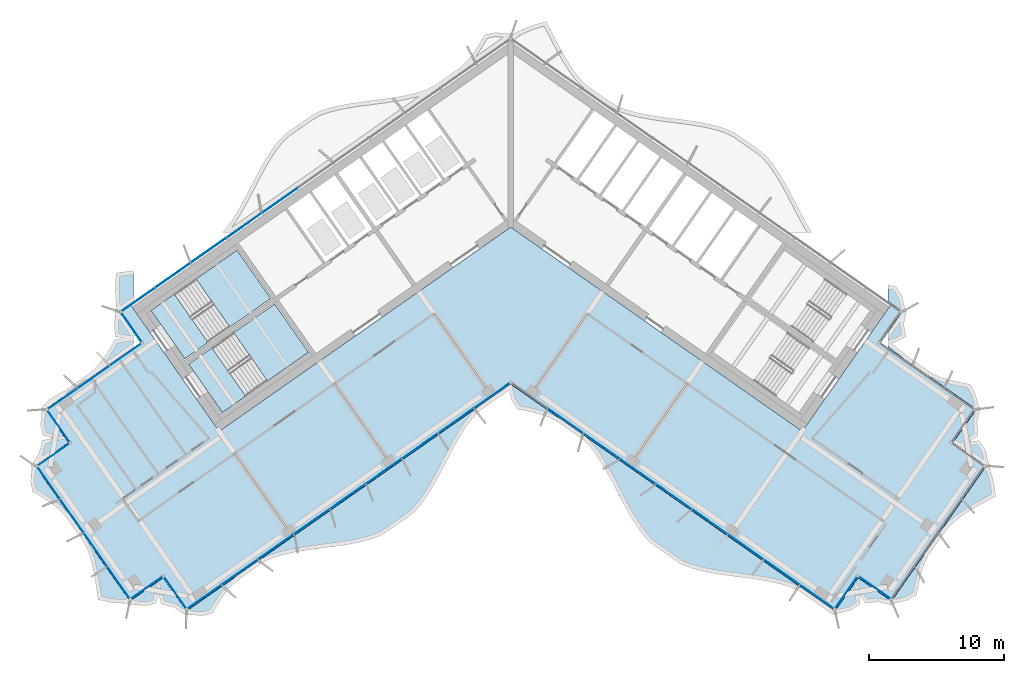
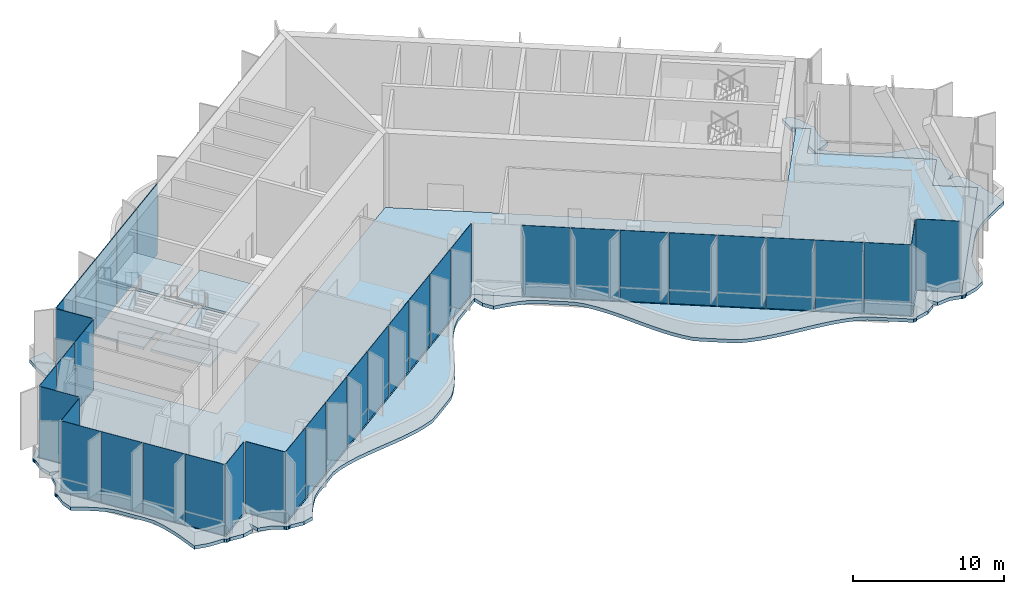
# One storey, part 10 of 22: 36 plates, 8 slabs, 4 elements without a shape of their own.
"""IFC4 building model written with IfcOpenShell, lengths in metres."""

import ifcopenshell
import ifcopenshell.guid

model = None  # the IFC model being written
_history = None  # IfcOwnerHistory: only IFC2X3 demands one
_inside = {}  # id of a spatial element -> (the spatial element, [elements in it])
_under = {}  # id of a project, library or spatial element -> (it, [spatial elements below it])
_declared = {}  # id of a project -> (the project, [libraries it declares])
_typed = {}  # id of a type object -> (the type object, [elements of that type])
_made_of = {}  # id of a material, layer set ... -> (it, [elements and type objects made of it])


def new_model(schema):
    """Start an empty IFC model of exactly this schema.

    Asked for "IFC4X3", IfcOpenShell would pick the latest addendum, in which some entities
    have other attributes; the version numbers below select the first issue.
    IFC2X3 requires an IfcOwnerHistory on every rooted entity: one is made here for all.
    """
    global model, _history
    if schema == "IFC4X3":
        model = ifcopenshell.file(schema_version=(4, 3, 0, 0))
    else:
        model = ifcopenshell.file(schema=schema)
    _inside.clear()
    _under.clear()
    _declared.clear()
    _typed.clear()
    _made_of.clear()
    _history = None
    if model.schema == "IFC2X3":
        org = make("IfcOrganization", Name="unknown")
        user = make(
            "IfcPersonAndOrganization",
            ThePerson=make("IfcPerson", FamilyName="unknown"),
            TheOrganization=org,
        )
        app = make(
            "IfcApplication",
            ApplicationDeveloper=org,
            Version="unknown",
            ApplicationFullName="unknown",
            ApplicationIdentifier="unknown",
        )
        _history = make(
            "IfcOwnerHistory",
            OwningUser=user,
            OwningApplication=app,
            ChangeAction="ADDED",
            CreationDate=0,
        )
    return model


def make(cls, **values):
    """One entity of the class cls with the attributes given. An attribute that is None is left unset."""
    return model.create_entity(
        cls, **{name: value for name, value in values.items() if value is not None}
    )


def rooted(cls, **values):
    """An entity with a GlobalId (a new one), such as an element, a storey or a relation."""
    return make(cls, GlobalId=ifcopenshell.guid.new(), OwnerHistory=_history, **values)


def si_unit(unit_type, name, prefix=None):
    """IfcSIUnit, for example si_unit("LENGTHUNIT", "METRE", prefix="MILLI")."""
    return make("IfcSIUnit", UnitType=unit_type, Prefix=prefix, Name=name)


def assignment(units):
    """IfcUnitAssignment: the units of a project."""
    return None if units is None else make("IfcUnitAssignment", Units=units)


def point(xyz):
    """IfcCartesianPoint."""
    return None if xyz is None else make("IfcCartesianPoint", Coordinates=xyz)


def direction(xyz):
    """IfcDirection."""
    return None if xyz is None else make("IfcDirection", DirectionRatios=xyz)


def frame(location, z_axis=None, x_axis=None):
    """IfcAxis2Placement3D, a coordinate frame: its origin and axes. An axis left out is left unset."""
    return make(
        "IfcAxis2Placement3D",
        Location=point(location),
        Axis=direction(z_axis),
        RefDirection=direction(x_axis),
    )


def frame_2d(location, x_axis=None):
    """IfcAxis2Placement2D, a coordinate frame in the plane: its origin and x axis."""
    return make(
        "IfcAxis2Placement2D", Location=point(location), RefDirection=direction(x_axis)
    )


def origin():
    """The frame at (0, 0, 0) with its axes left unset."""
    return frame((0.0, 0.0, 0.0))


def origin_2d():
    """The frame at (0, 0) in the plane with its x axis left unset."""
    return frame_2d((0.0, 0.0))


def place(relative_to, where):
    """IfcLocalPlacement: puts the frame where relative to a parent placement (None: the world)."""
    return make(
        "IfcLocalPlacement", PlacementRelTo=relative_to, RelativePlacement=where
    )


def context(
    kind, dimensions, precision=None, world=None, true_north=None, identifier=None
):
    """IfcGeometricRepresentationContext, for example the 3D "Model" context."""
    return make(
        "IfcGeometricRepresentationContext",
        ContextIdentifier=identifier,
        ContextType=kind,
        CoordinateSpaceDimension=dimensions,
        Precision=precision,
        WorldCoordinateSystem=world,
        TrueNorth=true_north,
    )


def subcontext(parent, identifier, kind, view, scale=None):
    """IfcGeometricRepresentationSubContext, for example "Body" below "Model"."""
    return make(
        "IfcGeometricRepresentationSubContext",
        ContextIdentifier=identifier,
        ContextType=kind,
        ParentContext=parent,
        TargetScale=scale,
        TargetView=view,
    )


def project(units=None, contexts=None):
    """IfcProject with its units and contexts."""
    return rooted(
        "IfcProject",
        Name="project",
        RepresentationContexts=contexts,
        UnitsInContext=assignment(units),
    )


def spatial(cls, under=None, at=None, **own):
    """A site, building, storey or space (cls), placed at a placement, below another one or the project."""
    s = rooted(cls, ObjectPlacement=at, **own)
    if under is not None:
        _under.setdefault(under.id(), (under, []))[1].append(s)
    return s


def polyline(points):
    """IfcPolyline through the points."""
    return make("IfcPolyline", Points=[point(p) for p in points])


def profile(cls, at=None, kind="AREA", **sizes):
    """A parametric profile (cls). Its sizes go by their IFC names, for example OverallWidth=200.0."""
    return make(cls, ProfileType=kind, Position=at, **sizes)


def rectangle(**sizes):
    """IfcRectangleProfileDef."""
    return profile("IfcRectangleProfileDef", **sizes)


def outline(outer, holes=None, kind="AREA"):
    """IfcArbitraryClosedProfileDef: a profile drawn as a closed curve; with holes, ...WithVoids."""
    if holes is None:
        return make("IfcArbitraryClosedProfileDef", ProfileType=kind, OuterCurve=outer)
    return make(
        "IfcArbitraryProfileDefWithVoids",
        ProfileType=kind,
        OuterCurve=outer,
        InnerCurves=holes,
    )


def extrude(swept, where, along, depth):
    """IfcExtrudedAreaSolid: the profile swept, set in the frame where, extruded along a direction by depth."""
    return make(
        "IfcExtrudedAreaSolid",
        SweptArea=swept,
        Position=where,
        ExtrudedDirection=direction(along),
        Depth=depth,
    )


def shape(context_of_items, identifier, shape_type, items):
    """IfcShapeRepresentation: the items that make up one representation, for example the "Body"."""
    return make(
        "IfcShapeRepresentation",
        ContextOfItems=context_of_items,
        RepresentationIdentifier=identifier,
        RepresentationType=shape_type,
        Items=items,
    )


def material(Name=None, Category=None):
    """IfcMaterial."""
    return make("IfcMaterial", Name=Name, Category=Category)


def layer(
    of_material, thickness, ventilated=None, Name=None, Category=None, Priority=None
):
    """IfcMaterialLayer: one layer of a wall or slab, of a material (None: an air gap)."""
    return make(
        "IfcMaterialLayer",
        Material=of_material,
        LayerThickness=thickness,
        IsVentilated=ventilated,
        Name=Name,
        Category=Category,
        Priority=Priority,
    )


def layer_set(layers, Name=None):
    """IfcMaterialLayerSet."""
    return make("IfcMaterialLayerSet", MaterialLayers=layers, LayerSetName=Name)


def made_of(thing, what):
    """Note that an element or type object is made of a material, layer set ...; save() writes the relation."""
    if what is not None:
        _made_of.setdefault(what.id(), (what, []))[1].append(thing)
    return thing


def type_object(cls, material=None, **own):
    """A type object (cls), such as IfcWallType, which elements share."""
    return made_of(rooted(cls, **own), material)


def element(
    cls,
    number,
    at=None,
    inside=None,
    cuts=None,
    type_object=None,
    material=None,
    context=None,
    identifier="Body",
    shape_type=None,
    held_by="IfcProductDefinitionShape",
    body=None,
    shapes=None,
    **own,
):
    """One element of the class cls, such as IfcWall. Its Tag is "e" and its number.

    at: its placement. inside: the storey or other place that contains it. cuts: it is an
    opening in that element (IfcRelVoidsElement). A single representation is given by context,
    identifier, shape_type and body (its items); several are given by shapes. held_by: the class
    of the entity that holds the representations. save() writes the other relations.
    """
    e = rooted(cls, Tag="e%d" % number, ObjectPlacement=at, **own)
    if body is not None:
        shapes = [shape(context, identifier, shape_type, body)]
    if shapes is not None:
        e.Representation = make(held_by, Representations=shapes)
    if inside is not None:
        _inside.setdefault(inside.id(), (inside, []))[1].append(e)
    if cuts is not None:
        rooted(
            "IfcRelVoidsElement", RelatingBuildingElement=cuts, RelatedOpeningElement=e
        )
    if type_object is not None:
        _typed.setdefault(type_object.id(), (type_object, []))[1].append(e)
    return made_of(e, material)


def aggregate(whole, parts):
    """IfcRelAggregates: a whole, such as a stair, and the parts it consists of."""
    return rooted("IfcRelAggregates", RelatingObject=whole, RelatedObjects=parts)


def save(model, path):
    """Write the relations noted so far, then the file.

    IfcRelAggregates (storeys below a building ...), IfcRelContainedInSpatialStructure (elements
    in a storey), IfcRelDefinesByType, IfcRelAssociatesMaterial and IfcRelDeclares: one each for
    every whole, place, type object, material and project.
    """
    for whole, parts in _under.values():
        aggregate(whole, parts)
    for where, things in _inside.values():
        rooted(
            "IfcRelContainedInSpatialStructure",
            RelatedElements=things,
            RelatingStructure=where,
        )
    for kind, things in _typed.values():
        rooted("IfcRelDefinesByType", RelatedObjects=things, RelatingType=kind)
    for what, things in _made_of.values():
        rooted("IfcRelAssociatesMaterial", RelatedObjects=things, RelatingMaterial=what)
    for by, libraries in _declared.values():
        rooted("IfcRelDeclares", RelatingContext=by, RelatedDefinitions=libraries)
    model.write(path)


model = new_model("IFC4")

# Units and contexts
model_context = context("Model", 3, precision=1e-05, world=origin(), true_north=direction((0.0, 1.0)))
body_context = subcontext(model_context, "Body", "Model", "MODEL_VIEW")
ifc_project = project(units=[si_unit("LENGTHUNIT", "METRE"), si_unit("AREAUNIT", "SQUARE_METRE"), si_unit("VOLUMEUNIT", "CUBIC_METRE"), si_unit("PLANEANGLEUNIT", "RADIAN"), si_unit("MASSUNIT", "GRAM", prefix="KILO")], contexts=[model_context])

# Site, building, storey
site_placement = place(None, origin())
site = spatial("IfcSite", under=ifc_project, at=site_placement, CompositionType="ELEMENT")
building_placement = place(site_placement, origin())
building = spatial("IfcBuilding", under=site, at=building_placement, Name="Tel Ilan Convention Tower", CompositionType="ELEMENT")
storey_placement = place(building_placement, frame((0.0, 0.0, 219.39990234375)))
storey = spatial("IfcBuildingStorey", under=building, at=storey_placement, Name="L51", CompositionType="ELEMENT", Elevation=219.39990234375)

# Curtain wall, plates
ifc_material_1 = material(Name="Aluminium, bronze anodised", Category="aluminium")
curtain_wall_type_1 = type_object("IfcCurtainWallType", Name="CW2 STICK CURTAIN WALL, SPANDREL PANELS", PredefinedType="NOTDEFINED", material=ifc_material_1)
curtain_wall_1_placement = place(storey_placement, origin())
curtain_wall_1 = element("IfcCurtainWall", 1, at=curtain_wall_1_placement, inside=storey, type_object=curtain_wall_type_1, Name="Curtain wall CW2-40.01", PredefinedType="NOTDEFINED")
ifc_material_2 = material(Name="Aluminium composite panel, bronze anodised", Category="aluminium")
ifc_layer_1 = layer(ifc_material_2, 0.06005859375)
ifc_layer_set_1 = layer_set([ifc_layer_1], Name="CW SPANDREL PANEL 60")
plate_type_1 = type_object("IfcPlateType", Name="CW SPANDREL PANEL 60", PredefinedType="CURTAIN_PANEL", material=ifc_layer_set_1)
plate_1_placement = place(storey_placement, frame((-17.0546875, 0.754150390625, 0.0), z_axis=(0.0, 0.0, 1.0), x_axis=(-0.819152044289, -0.573576436351, 0.0)))
plate_1 = element("IfcPlate", 2, at=plate_1_placement, type_object=plate_type_1, Name="Spandrel panel", PredefinedType="CURTAIN_PANEL", context=body_context, shape_type="SweptSolid", body=[
    extrude(rectangle(XDim=3.15380859375, YDim=0.06005859375, at=origin_2d()), origin(), (0.0, 0.0, 1.0), 5.719970703125),
])
plate_2_placement = place(storey_placement, frame((-19.687255859375, -1.089111328125, 0.0), z_axis=(0.0, 0.0, 1.0), x_axis=(-0.819152044289, -0.573576436351, 0.0)))
plate_2 = element("IfcPlate", 3, at=plate_2_placement, type_object=plate_type_1, Name="Spandrel panel", PredefinedType="CURTAIN_PANEL", context=body_context, shape_type="SweptSolid", body=[
    extrude(rectangle(XDim=3.15380859375, YDim=0.06005859375, at=origin_2d()), origin(), (0.0, 0.0, 1.0), 5.719970703125),
])
plate_3_placement = place(storey_placement, frame((-22.31982421875, -2.9326171875, 0.0), z_axis=(0.0, 0.0, 1.0), x_axis=(-0.819152044289, -0.573576436351, 0.0)))
plate_3 = element("IfcPlate", 4, at=plate_3_placement, type_object=plate_type_1, Name="Spandrel panel", PredefinedType="CURTAIN_PANEL", context=body_context, shape_type="SweptSolid", body=[
    extrude(rectangle(XDim=3.15380859375, YDim=0.06005859375, at=origin_2d()), origin(), (0.0, 0.0, 1.0), 5.719970703125),
])
plate_4_placement = place(storey_placement, frame((-24.95263671875, -4.77587890625, 0.0), z_axis=(0.0, 0.0, 1.0), x_axis=(-0.819152044289, -0.573576436351, 0.0)))
plate_4 = element("IfcPlate", 5, at=plate_4_placement, type_object=plate_type_1, Name="Spandrel panel", PredefinedType="CURTAIN_PANEL", context=body_context, shape_type="SweptSolid", body=[
    extrude(rectangle(XDim=3.15380859375, YDim=0.06005859375, at=origin_2d()), origin(), (0.0, 0.0, 1.0), 5.719970703125),
])
plate_5_placement = place(storey_placement, frame((-27.5400390625, -6.587646484375, 0.0), z_axis=(0.0, 0.0, 1.0), x_axis=(-0.819152044289, -0.573576436351, 0.0)))
plate_5 = element("IfcPlate", 6, at=plate_5_placement, type_object=plate_type_1, Name="Spandrel panel", PredefinedType="CURTAIN_PANEL", context=body_context, shape_type="SweptSolid", body=[
    extrude(rectangle(XDim=3.0439453125, YDim=0.06005859375, at=origin_2d()), origin(), (0.0, 0.0, 1.0), 5.719970703125),
])
plate_6_placement = place(storey_placement, frame((-28.033935546875, -8.60546875, 0.0), z_axis=(0.0, 0.0, 1.0), x_axis=(0.573576436351, -0.819152044289, 0.0)))
plate_6 = element("IfcPlate", 7, at=plate_6_placement, type_object=plate_type_1, Name="Spandrel panel", PredefinedType="CURTAIN_PANEL", context=body_context, shape_type="SweptSolid", body=[
    extrude(rectangle(XDim=2.658935546875, YDim=0.06005859375, at=origin_2d()), origin(), (0.0, 0.0, 1.0), 5.719970703125),
])
aggregate(curtain_wall_1, [plate_1, plate_2, plate_3, plate_4, plate_5, plate_6])

ifc_material_3 = material(Name="Aluminium, bronze anodised", Category="aluminium")
curtain_wall_type_2 = type_object("IfcCurtainWallType", Name="CW5 STICK CURTAIN WALL, UPPER OFFICE LOW-IRON TINTED GLASS", PredefinedType="NOTDEFINED", material=ifc_material_3)
curtain_wall_2_placement = place(storey_placement, origin())
curtain_wall_2 = element("IfcCurtainWall", 8, at=curtain_wall_2_placement, inside=storey, type_object=curtain_wall_type_2, Name="Curtain wall CW5-40.02", PredefinedType="NOTDEFINED")
ifc_material_4 = material(Name="Glass, low-iron bronze tinted, two-ply", Category="glass")
ifc_layer_2 = layer(ifc_material_4, 0.031982421875)
ifc_layer_set_2 = layer_set([ifc_layer_2], Name="CW UPPER GLASS PANEL 32")
plate_type_2 = type_object("IfcPlateType", Name="CW UPPER GLASS PANEL 32", PredefinedType="CURTAIN_PANEL", material=ifc_layer_set_2)
plate_7_placement = place(storey_placement, frame((-28.457763671875, -10.6484375, 0.0), z_axis=(0.0, 0.0, 1.0), x_axis=(-0.819152044289, -0.573576436351, 0.0)))
plate_7 = element("IfcPlate", 9, at=plate_7_placement, type_object=plate_type_2, Name="Glass panel", PredefinedType="CURTAIN_PANEL", context=body_context, shape_type="SweptSolid", body=[
    extrude(rectangle(XDim=2.835693359375, YDim=0.028076171875, at=origin_2d()), origin(), (0.0, 0.0, 1.0), 5.719970703125),
])
plate_8_placement = place(storey_placement, frame((-30.81787109375, -12.301025390625, 0.0), z_axis=(0.0, 0.0, 1.0), x_axis=(-0.819152044289, -0.573576436351, 0.0)))
plate_8 = element("IfcPlate", 10, at=plate_8_placement, type_object=plate_type_2, Name="Glass panel", PredefinedType="CURTAIN_PANEL", context=body_context, shape_type="SweptSolid", body=[
    extrude(rectangle(XDim=2.806640625, YDim=0.028076171875, at=origin_2d()), origin(), (0.0, 0.0, 1.0), 5.719970703125),
])
plate_9_placement = place(storey_placement, frame((-33.12744140625, -13.918212890625, 0.0), z_axis=(0.0, 0.0, 1.0), x_axis=(-0.819152044289, -0.573576436351, 0.0)))
plate_9 = element("IfcPlate", 11, at=plate_9_placement, type_object=plate_type_2, Name="Glass panel", PredefinedType="CURTAIN_PANEL", context=body_context, shape_type="SweptSolid", body=[
    extrude(rectangle(XDim=2.712646484375, YDim=0.028076171875, at=origin_2d()), origin(), (0.0, 0.0, 1.0), 5.719970703125),
])
plate_10_placement = place(storey_placement, frame((-33.419921875, -15.9072265625, 0.0), z_axis=(0.0, 0.0, 1.0), x_axis=(0.573576436351, -0.819152044289, 0.0)))
plate_10 = element("IfcPlate", 12, at=plate_10_placement, type_object=plate_type_2, Name="Glass panel", PredefinedType="CURTAIN_PANEL", context=body_context, shape_type="SweptSolid", body=[
    extrude(rectangle(XDim=2.875, YDim=0.028076171875, at=origin_2d()), origin(), (0.0, 0.0, 1.0), 5.719970703125),
])
plate_11_placement = place(storey_placement, frame((-33.7978515625, -18.0498046875, 0.0), z_axis=(0.0, 0.0, 1.0), x_axis=(-0.819152044289, -0.573576436351, 0.0)))
plate_11 = element("IfcPlate", 13, at=plate_11_placement, type_object=plate_type_2, Name="Glass panel", PredefinedType="CURTAIN_PANEL", context=body_context, shape_type="SweptSolid", body=[
    extrude(rectangle(XDim=2.875, YDim=0.028076171875, at=origin_2d()), origin(), (0.0, 0.0, 1.0), 5.719970703125),
])
plate_12_placement = place(storey_placement, frame((-34.150634765625, -20.093994140625, 0.0), z_axis=(0.0, 0.0, 1.0), x_axis=(0.573576436351, -0.819152044289, 0.0)))
plate_12 = element("IfcPlate", 14, at=plate_12_placement, type_object=plate_type_2, Name="Glass panel", PredefinedType="CURTAIN_PANEL", context=body_context, shape_type="SweptSolid", body=[
    extrude(rectangle(XDim=2.89599609375, YDim=0.028076171875, at=origin_2d()), origin(), (0.0, 0.0, 1.0), 5.719970703125),
])
plate_13_placement = place(storey_placement, frame((-32.42822265625, -22.553955078125, 0.0), z_axis=(0.0, 0.0, 1.0), x_axis=(0.573576436351, -0.819152044289, 0.0)))
plate_13 = element("IfcPlate", 15, at=plate_13_placement, type_object=plate_type_2, Name="Glass panel", PredefinedType="CURTAIN_PANEL", context=body_context, shape_type="SweptSolid", body=[
    extrude(rectangle(XDim=2.989990234375, YDim=0.028076171875, at=origin_2d()), origin(), (0.0, 0.0, 1.0), 5.719970703125),
])
plate_14_placement = place(storey_placement, frame((-30.6787109375, -25.05224609375, 0.0), z_axis=(0.0, 0.0, 1.0), x_axis=(0.573576436351, -0.819152044289, 0.0)))
plate_14 = element("IfcPlate", 16, at=plate_14_placement, type_object=plate_type_2, Name="Glass panel", PredefinedType="CURTAIN_PANEL", context=body_context, shape_type="SweptSolid", body=[
    extrude(rectangle(XDim=2.989990234375, YDim=0.028076171875, at=origin_2d()), origin(), (0.0, 0.0, 1.0), 5.719970703125),
])
plate_15_placement = place(storey_placement, frame((-28.956298828125, -27.51220703125, 0.0), z_axis=(0.0, 0.0, 1.0), x_axis=(0.573576436351, -0.819152044289, 0.0)))
plate_15 = element("IfcPlate", 17, at=plate_15_placement, type_object=plate_type_2, Name="Glass panel", PredefinedType="CURTAIN_PANEL", context=body_context, shape_type="SweptSolid", body=[
    extrude(rectangle(XDim=2.89599609375, YDim=0.028076171875, at=origin_2d()), origin(), (0.0, 0.0, 1.0), 5.719970703125),
])
plate_16_placement = place(storey_placement, frame((-26.914794921875, -27.879638671875, 0.0), z_axis=(0.0, 0.0, 1.0), x_axis=(0.819152044289, 0.573576436351, 0.0)))
plate_16 = element("IfcPlate", 18, at=plate_16_placement, type_object=plate_type_2, Name="Glass panel", PredefinedType="CURTAIN_PANEL", context=body_context, shape_type="SweptSolid", body=[
    extrude(rectangle(XDim=2.875, YDim=0.028076171875, at=origin_2d()), origin(), (0.0, 0.0, 1.0), 5.719970703125),
])
plate_17_placement = place(storey_placement, frame((-24.772216796875, -28.257568359375, 0.0), z_axis=(0.0, 0.0, 1.0), x_axis=(0.573576436351, -0.819152044289, 0.0)))
plate_17 = element("IfcPlate", 19, at=plate_17_placement, type_object=plate_type_2, Name="Glass panel", PredefinedType="CURTAIN_PANEL", context=body_context, shape_type="SweptSolid", body=[
    extrude(rectangle(XDim=2.875, YDim=0.028076171875, at=origin_2d()), origin(), (0.0, 0.0, 1.0), 5.719970703125),
])
plate_18_placement = place(storey_placement, frame((-22.646240234375, -28.55322265625, 0.0), z_axis=(0.0, 0.0, 1.0), x_axis=(0.819152044289, 0.573576436351, 0.0)))
plate_18 = element("IfcPlate", 20, at=plate_18_placement, type_object=plate_type_2, Name="Glass panel", PredefinedType="CURTAIN_PANEL", context=body_context, shape_type="SweptSolid", body=[
    extrude(rectangle(XDim=3.095703125, YDim=0.028076171875, at=origin_2d()), origin(), (0.0, 0.0, 1.0), 5.719970703125),
])
plate_19_placement = place(storey_placement, frame((-20.022705078125, -26.716064453125, 0.0), z_axis=(0.0, 0.0, 1.0), x_axis=(0.819152044289, 0.573576436351, 0.0)))
plate_19 = element("IfcPlate", 21, at=plate_19_placement, type_object=plate_type_2, Name="Glass panel", PredefinedType="CURTAIN_PANEL", context=body_context, shape_type="SweptSolid", body=[
    extrude(rectangle(XDim=3.189697265625, YDim=0.028076171875, at=origin_2d()), origin(), (0.0, 0.0, 1.0), 5.719970703125),
])
plate_20_placement = place(storey_placement, frame((-17.360595703125, -24.85205078125, 0.0), z_axis=(0.0, 0.0, 1.0), x_axis=(0.819152044289, 0.573576436351, 0.0)))
plate_20 = element("IfcPlate", 22, at=plate_20_placement, type_object=plate_type_2, Name="Glass panel", PredefinedType="CURTAIN_PANEL", context=body_context, shape_type="SweptSolid", body=[
    extrude(rectangle(XDim=3.189697265625, YDim=0.028076171875, at=origin_2d()), origin(), (0.0, 0.0, 1.0), 5.719970703125),
])
plate_21_placement = place(storey_placement, frame((-14.69873046875, -22.988037109375, 0.0), z_axis=(0.0, 0.0, 1.0), x_axis=(0.819152044289, 0.573576436351, 0.0)))
plate_21 = element("IfcPlate", 23, at=plate_21_placement, type_object=plate_type_2, Name="Glass panel", PredefinedType="CURTAIN_PANEL", context=body_context, shape_type="SweptSolid", body=[
    extrude(rectangle(XDim=3.189697265625, YDim=0.028076171875, at=origin_2d()), origin(), (0.0, 0.0, 1.0), 5.719970703125),
])
plate_22_placement = place(storey_placement, frame((-12.03662109375, -21.124267578125, 0.0), z_axis=(0.0, 0.0, 1.0), x_axis=(0.819152044289, 0.573576436351, 0.0)))
plate_22 = element("IfcPlate", 24, at=plate_22_placement, type_object=plate_type_2, Name="Glass panel", PredefinedType="CURTAIN_PANEL", context=body_context, shape_type="SweptSolid", body=[
    extrude(rectangle(XDim=3.189697265625, YDim=0.028076171875, at=origin_2d()), origin(), (0.0, 0.0, 1.0), 5.719970703125),
])
plate_23_placement = place(storey_placement, frame((-9.37451171875, -19.26025390625, 0.0), z_axis=(0.0, 0.0, 1.0), x_axis=(0.819152044289, 0.573576436351, 0.0)))
plate_23 = element("IfcPlate", 25, at=plate_23_placement, type_object=plate_type_2, Name="Glass panel", PredefinedType="CURTAIN_PANEL", context=body_context, shape_type="SweptSolid", body=[
    extrude(rectangle(XDim=3.189697265625, YDim=0.028076171875, at=origin_2d()), origin(), (0.0, 0.0, 1.0), 5.719970703125),
])
plate_24_placement = place(storey_placement, frame((-6.71240234375, -17.396240234375, 0.0), z_axis=(0.0, 0.0, 1.0), x_axis=(0.819152044289, 0.573576436351, 0.0)))
plate_24 = element("IfcPlate", 26, at=plate_24_placement, type_object=plate_type_2, Name="Glass panel", PredefinedType="CURTAIN_PANEL", context=body_context, shape_type="SweptSolid", body=[
    extrude(rectangle(XDim=3.189697265625, YDim=0.028076171875, at=origin_2d()), origin(), (0.0, 0.0, 1.0), 5.719970703125),
])
plate_25_placement = place(storey_placement, frame((-4.050537109375, -15.5322265625, 0.0), z_axis=(0.0, 0.0, 1.0), x_axis=(0.819152044289, 0.573576436351, 0.0)))
plate_25 = element("IfcPlate", 27, at=plate_25_placement, type_object=plate_type_2, Name="Glass panel", PredefinedType="CURTAIN_PANEL", context=body_context, shape_type="SweptSolid", body=[
    extrude(rectangle(XDim=3.189697265625, YDim=0.028076171875, at=origin_2d()), origin(), (0.0, 0.0, 1.0), 5.719970703125),
])
plate_26_placement = place(storey_placement, frame((-1.388671875, -13.66845703125, 0.0), z_axis=(0.0, 0.0, 1.0), x_axis=(0.819152044289, 0.573576436351, 0.0)))
plate_26 = element("IfcPlate", 28, at=plate_26_placement, type_object=plate_type_2, Name="Glass panel", PredefinedType="CURTAIN_PANEL", context=body_context, shape_type="SweptSolid", body=[
    extrude(rectangle(XDim=3.188720703125, YDim=0.028076171875, at=origin_2d()), origin(), (0.0, 0.0, 1.0), 5.719970703125),
])
plate_27_placement = place(storey_placement, frame((4.050537109375, -15.5322265625, 0.0), z_axis=(0.0, 0.0, 1.0), x_axis=(0.819152044289, -0.573576436351, 0.0)))
plate_27 = element("IfcPlate", 29, at=plate_27_placement, type_object=plate_type_2, Name="Glass panel", PredefinedType="CURTAIN_PANEL", context=body_context, shape_type="SweptSolid", body=[
    extrude(rectangle(XDim=3.189697265625, YDim=0.028076171875, at=origin_2d()), origin(), (0.0, 0.0, 1.0), 5.719970703125),
])
plate_28_placement = place(storey_placement, frame((6.71240234375, -17.396240234375, 0.0), z_axis=(0.0, 0.0, 1.0), x_axis=(0.819152044289, -0.573576436351, 0.0)))
plate_28 = element("IfcPlate", 30, at=plate_28_placement, type_object=plate_type_2, Name="Glass panel", PredefinedType="CURTAIN_PANEL", context=body_context, shape_type="SweptSolid", body=[
    extrude(rectangle(XDim=3.189697265625, YDim=0.028076171875, at=origin_2d()), origin(), (0.0, 0.0, 1.0), 5.719970703125),
])
plate_29_placement = place(storey_placement, frame((9.37451171875, -19.26025390625, 0.0), z_axis=(0.0, 0.0, 1.0), x_axis=(0.819152044289, -0.573576436351, 0.0)))
plate_29 = element("IfcPlate", 31, at=plate_29_placement, type_object=plate_type_2, Name="Glass panel", PredefinedType="CURTAIN_PANEL", context=body_context, shape_type="SweptSolid", body=[
    extrude(rectangle(XDim=3.189697265625, YDim=0.028076171875, at=origin_2d()), origin(), (0.0, 0.0, 1.0), 5.719970703125),
])
plate_30_placement = place(storey_placement, frame((12.03662109375, -21.124267578125, 0.0), z_axis=(0.0, 0.0, 1.0), x_axis=(0.819152044289, -0.573576436351, 0.0)))
plate_30 = element("IfcPlate", 32, at=plate_30_placement, type_object=plate_type_2, Name="Glass panel", PredefinedType="CURTAIN_PANEL", context=body_context, shape_type="SweptSolid", body=[
    extrude(rectangle(XDim=3.189697265625, YDim=0.028076171875, at=origin_2d()), origin(), (0.0, 0.0, 1.0), 5.719970703125),
])
plate_31_placement = place(storey_placement, frame((14.69873046875, -22.988037109375, 0.0), z_axis=(0.0, 0.0, 1.0), x_axis=(0.819152044289, -0.573576436351, 0.0)))
plate_31 = element("IfcPlate", 33, at=plate_31_placement, type_object=plate_type_2, Name="Glass panel", PredefinedType="CURTAIN_PANEL", context=body_context, shape_type="SweptSolid", body=[
    extrude(rectangle(XDim=3.189697265625, YDim=0.028076171875, at=origin_2d()), origin(), (0.0, 0.0, 1.0), 5.719970703125),
])
plate_32_placement = place(storey_placement, frame((17.360595703125, -24.85205078125, 0.0), z_axis=(0.0, 0.0, 1.0), x_axis=(0.819152044289, -0.573576436351, 0.0)))
plate_32 = element("IfcPlate", 34, at=plate_32_placement, type_object=plate_type_2, Name="Glass panel", PredefinedType="CURTAIN_PANEL", context=body_context, shape_type="SweptSolid", body=[
    extrude(rectangle(XDim=3.189697265625, YDim=0.028076171875, at=origin_2d()), origin(), (0.0, 0.0, 1.0), 5.719970703125),
])
plate_33_placement = place(storey_placement, frame((20.022705078125, -26.716064453125, 0.0), z_axis=(0.0, 0.0, 1.0), x_axis=(0.819152044289, -0.573576436351, 0.0)))
plate_33 = element("IfcPlate", 35, at=plate_33_placement, type_object=plate_type_2, Name="Glass panel", PredefinedType="CURTAIN_PANEL", context=body_context, shape_type="SweptSolid", body=[
    extrude(rectangle(XDim=3.189697265625, YDim=0.028076171875, at=origin_2d()), origin(), (0.0, 0.0, 1.0), 5.719970703125),
])
plate_34_placement = place(storey_placement, frame((22.646240234375, -28.55322265625, 0.0), z_axis=(0.0, 0.0, 1.0), x_axis=(0.819152044289, -0.573576436351, 0.0)))
plate_34 = element("IfcPlate", 36, at=plate_34_placement, type_object=plate_type_2, Name="Glass panel", PredefinedType="CURTAIN_PANEL", context=body_context, shape_type="SweptSolid", body=[
    extrude(rectangle(XDim=3.095703125, YDim=0.028076171875, at=origin_2d()), origin(), (0.0, 0.0, 1.0), 5.719970703125),
])
plate_35_placement = place(storey_placement, frame((24.772216796875, -28.257568359375, 0.0), z_axis=(0.0, 0.0, 1.0), x_axis=(0.573576436351, 0.819152044289, 0.0)))
plate_35 = element("IfcPlate", 37, at=plate_35_placement, type_object=plate_type_2, Name="Glass panel", PredefinedType="CURTAIN_PANEL", context=body_context, shape_type="SweptSolid", body=[
    extrude(rectangle(XDim=2.875, YDim=0.028076171875, at=origin_2d()), origin(), (0.0, 0.0, 1.0), 5.719970703125),
])
plate_36_placement = place(storey_placement, frame((26.914794921875, -27.879638671875, 0.0), z_axis=(0.0, 0.0, 1.0), x_axis=(0.819152044289, -0.573576436351, 0.0)))
plate_36 = element("IfcPlate", 38, at=plate_36_placement, type_object=plate_type_2, Name="Glass panel", PredefinedType="CURTAIN_PANEL", context=body_context, shape_type="SweptSolid", body=[
    extrude(rectangle(XDim=2.875, YDim=0.028076171875, at=origin_2d()), origin(), (0.0, 0.0, 1.0), 5.719970703125),
])
aggregate(curtain_wall_2, [plate_7, plate_8, plate_9, plate_10, plate_11, plate_12, plate_13, plate_14, plate_15, plate_16, plate_17, plate_18, plate_19, plate_20, plate_21, plate_22, plate_23, plate_24, plate_25, plate_26, plate_27, plate_28, plate_29, plate_30, plate_31, plate_32, plate_33, plate_34, plate_35, plate_36])

# Stair, slabs
ifc_material_5 = material(Name="Concrete C40/50", Category="concrete")
stair_type = type_object("IfcStairType", Name="Pressurised Exit Stair 32 risers 188 mm", PredefinedType="HALF_TURN_STAIR", material=ifc_material_5)
stair_1_placement = place(storey_placement, origin())
stair_1 = element("IfcStair", 39, at=stair_1_placement, inside=storey, type_object=stair_type, Name="L51 Pressurised Stair S1", PredefinedType="HALF_TURN_STAIR")
ifc_material_6 = material(Name="Concrete C40/50", Category="concrete")
ifc_layer_3 = layer(ifc_material_6, 0.199951171875)
ifc_layer_set_3 = layer_set([ifc_layer_3], Name="Concrete Stair Landing 200 mm C40/50")
slab_type_1 = type_object("IfcSlabType", Name="Concrete Stair Landing 200 mm", PredefinedType="LANDING", material=ifc_layer_set_3)
slab_1_placement = place(storey_placement, frame((0.0, 0.0, 1.300048828125)))
slab_1 = element("IfcSlab", 40, at=slab_1_placement, type_object=slab_type_1, Name="S1 landing 1", PredefinedType="LANDING", context=body_context, shape_type="SweptSolid", body=[
    extrude(outline(polyline([(-20.754638671875, -8.61181640625), (-17.7314453125, -6.494873046875), (-20.226318359375, -2.931640625), (-23.249755859375, -5.048583984375), (-20.754638671875, -8.61181640625)])), origin(), (0.0, 0.0, 1.0), 0.199951171875),
])
slab_2_placement = place(storey_placement, frame((0.0, 0.0, 2.800048828125)))
slab_2 = element("IfcSlab", 41, at=slab_2_placement, type_object=slab_type_1, Name="S1 landing 2", PredefinedType="LANDING", context=body_context, shape_type="SweptSolid", body=[
    extrude(outline(polyline([(-24.079833984375, -10.940185546875), (-22.35888671875, -9.735107421875), (-24.85400390625, -6.171875), (-26.574951171875, -7.376708984375), (-24.079833984375, -10.940185546875)])), origin(), (0.0, 0.0, 1.0), 0.199951171875),
])
slab_3_placement = place(storey_placement, frame((0.0, 0.0, 4.300048828125)))
slab_3 = element("IfcSlab", 42, at=slab_3_placement, type_object=slab_type_1, Name="S1 landing 3", PredefinedType="LANDING", context=body_context, shape_type="SweptSolid", body=[
    extrude(outline(polyline([(-20.754638671875, -8.61181640625), (-17.7314453125, -6.494873046875), (-20.226318359375, -2.931640625), (-23.249755859375, -5.048583984375), (-20.754638671875, -8.61181640625)])), origin(), (0.0, 0.0, 1.0), 0.199951171875),
])
aggregate(stair_1, [slab_1, slab_2, slab_3])

stair_2_placement = place(storey_placement, origin())
stair_2 = element("IfcStair", 43, at=stair_2_placement, inside=storey, type_object=stair_type, Name="L51 Pressurised Stair S2", PredefinedType="HALF_TURN_STAIR")
slab_4_placement = place(storey_placement, frame((0.0, 0.0, 1.300048828125)))
slab_4 = element("IfcSlab", 44, at=slab_4_placement, type_object=slab_type_1, Name="S2 landing 1", PredefinedType="LANDING", context=body_context, shape_type="SweptSolid", body=[
    extrude(outline(polyline([(-17.972900390625, -12.584716796875), (-14.949462890625, -10.4677734375), (-17.444580078125, -6.904541015625), (-20.468017578125, -9.021484375), (-17.972900390625, -12.584716796875)])), origin(), (0.0, 0.0, 1.0), 0.199951171875),
])
slab_5_placement = place(storey_placement, frame((0.0, 0.0, 2.800048828125)))
slab_5 = element("IfcSlab", 45, at=slab_5_placement, type_object=slab_type_1, Name="S2 landing 2", PredefinedType="LANDING", context=body_context, shape_type="SweptSolid", body=[
    extrude(outline(polyline([(-21.2978515625, -14.9130859375), (-19.5771484375, -13.7080078125), (-22.072021484375, -10.144775390625), (-23.79296875, -11.349609375), (-21.2978515625, -14.9130859375)])), origin(), (0.0, 0.0, 1.0), 0.199951171875),
])
slab_6_placement = place(storey_placement, frame((0.0, 0.0, 4.300048828125)))
slab_6 = element("IfcSlab", 46, at=slab_6_placement, type_object=slab_type_1, Name="S2 landing 3", PredefinedType="LANDING", context=body_context, shape_type="SweptSolid", body=[
    extrude(outline(polyline([(-17.972900390625, -12.584716796875), (-14.949462890625, -10.4677734375), (-17.444580078125, -6.904541015625), (-20.468017578125, -9.021484375), (-17.972900390625, -12.584716796875)])), origin(), (0.0, 0.0, 1.0), 0.199951171875),
])
aggregate(stair_2, [slab_4, slab_5, slab_6])

# Slabs
ifc_material_7 = material(Name="Concrete C40/50", Category="concrete")
ifc_layer_4 = layer(ifc_material_7, 0.280029296875)
ifc_layer_set_4 = layer_set([ifc_layer_4], Name="Edge Ledge Slab 280 mm C40/50")
slab_type_2 = type_object("IfcSlabType", Name="Edge Ledge Slab 280 mm C40/50", PredefinedType="FLOOR", material=ifc_layer_set_4)
slab_7_placement = place(storey_placement, frame((0.0, 0.0, -0.27978515625)))
element("IfcSlab", 47, at=slab_7_placement, inside=storey, type_object=slab_type_2, Name="L51 edge ledge 1", PredefinedType="FLOOR", context=body_context, shape_type="SweptSolid", body=[
    extrude(outline(polyline([(-29.29443359375, -8.548583984375), (-29.20458984375, -7.631103515625), (-29.199951171875, -7.6279296875), (-29.236083984375, -7.57373046875), (-29.2587890625, -7.458984375), (-29.236083984375, -7.34423828125), (-29.1708984375, -7.246826171875), (-29.127685546875, -7.218017578125), (-29.130859375, -7.21337890625), (-29.231689453125, -5.78515625), (-29.161865234375, -4.60107421875), (-28.33935546875, -4.49169921875), (-27.875, -4.4326171875), (-27.875, -6.7001953125), (-28.958740234375, -7.458984375), (-27.875, -9.007080078125), (-27.875, -10.1181640625), (-34.3974609375, -14.685302734375), (-32.6767578125, -17.142822265625), (-35.13427734375, -18.863525390625), (-28.13671875, -28.857421875), (-25.67919921875, -27.136474609375), (-23.95849609375, -29.593994140625), (0.0, -12.818115234375), (23.95849609375, -29.593994140625), (25.67919921875, -27.136474609375), (28.13671875, -28.857421875), (35.13427734375, -18.863525390625), (32.6767578125, -17.142822265625), (34.3974609375, -14.685302734375), (27.875, -10.1181640625), (27.875, -9.007080078125), (28.958740234375, -7.458984375), (27.875, -6.7001953125), (27.875, -5.485595703125), (28.465576171875, -5.595458984375), (28.894287109375, -6.267333984375), (29.130859375, -7.21337890625), (29.127685546875, -7.218017578125), (29.1708984375, -7.246826171875), (29.236083984375, -7.34423828125), (29.2587890625, -7.458984375), (29.236083984375, -7.57373046875), (29.199951171875, -7.6279296875), (29.20458984375, -7.631103515625), (29.044921875, -8.373779296875), (29.194091796875, -9.332763671875), (28.4912109375, -9.6953125), (28.123291015625, -9.789794921875), (28.18212890625, -9.817626953125), (28.730712890625, -10.28369140625), (29.285888671875, -10.739990234375), (31.047119140625, -11.973388671875), (31.703369140625, -12.285888671875), (32.42138671875, -12.509521484375), (33.172119140625, -12.68701171875), (33.945068359375, -12.832763671875), (34.3369140625, -13.5224609375), (34.569580078125, -14.439697265625), (34.56640625, -14.4443359375), (34.609619140625, -14.473388671875), (34.6748046875, -14.570556640625), (34.697509765625, -14.685302734375), (34.6748046875, -14.80029296875), (34.638671875, -14.854248046875), (34.643310546875, -14.857421875), (34.455322265625, -15.6416015625), (34.5458984375, -16.62060546875), (33.9111328125, -17.059326171875), (34.61181640625, -16.994384765625), (35.066650390625, -17.652587890625), (35.306396484375, -18.617919921875), (35.302978515625, -18.62255859375), (35.346435546875, -18.651611328125), (35.411376953125, -18.748779296875), (35.43408203125, -18.863525390625), (35.411376953125, -18.978515625), (35.375244140625, -19.032470703125), (35.3798828125, -19.03564453125), (35.716796875, -20.147705078125), (35.840576171875, -21.1103515625), (35.13037109375, -21.489013671875), (34.43017578125, -21.875), (33.759033203125, -22.281005859375), (33.1279296875, -22.71533203125), (32.546142578125, -23.18408203125), (32.0869140625, -23.738525390625), (30.85205078125, -25.502197265625), (30.537841796875, -26.158203125), (30.313720703125, -26.877197265625), (30.135498046875, -27.628662109375), (29.989990234375, -28.40283203125), (29.301025390625, -28.79638671875), (28.38232421875, -29.029296875), (28.377685546875, -29.026123046875), (28.3486328125, -29.0693359375), (28.25146484375, -29.134521484375), (28.13671875, -29.1572265625), (28.021728515625, -29.134521484375), (27.9677734375, -29.098388671875), (27.964599609375, -29.10302734375), (27.1806640625, -28.9150390625), (26.201416015625, -29.005615234375), (25.7626953125, -28.370849609375), (25.827392578125, -29.071533203125), (25.169677734375, -29.526611328125), (24.2041015625, -29.76611328125), (24.199462890625, -29.7626953125), (24.17041015625, -29.80615234375), (24.0732421875, -29.87109375), (23.95849609375, -29.89404296875), (23.843505859375, -29.87109375), (23.78955078125, -29.835205078125), (23.786376953125, -29.839599609375), (21.3291015625, -28.119140625), (20.632080078125, -27.80712890625), (19.875244140625, -27.580322265625), (19.084228515625, -27.402587890625), (18.26708984375, -27.26220703125), (17.432861328125, -27.14599609375), (16.591796875, -27.03955078125), (15.75439453125, -26.92822265625), (14.930419921875, -26.79736328125), (14.1298828125, -26.63330078125), (13.361083984375, -26.423583984375), (12.631103515625, -26.15869140625), (12.007080078125, -25.742431640625), (10.778564453125, -24.882080078125), (10.174072265625, -24.437744140625), (9.675537109375, -23.84228515625), (9.2158203125, -23.191162109375), (8.7880859375, -22.494873046875), (8.38330078125, -21.765380859375), (7.9921875, -21.016357421875), (7.6044921875, -20.262451171875), (7.2099609375, -19.5185546875), (6.798583984375, -18.798583984375), (6.36083984375, -18.1162109375), (5.888916015625, -17.48291015625), (5.356689453125, -16.935302734375), (3.513916015625, -15.644775390625), (2.855712890625, -15.277099609375), (2.112060546875, -15.03173828125), (1.331787109375, -14.8388671875), (0.522216796875, -14.687255859375), (0.0673828125, -14.029296875), (-0.12109375, -13.269287109375), (-2.28515625, -14.784423828125), (-2.81689453125, -15.332763671875), (-3.288818359375, -15.96630859375), (-3.726318359375, -16.648681640625), (-4.1376953125, -17.368896484375), (-4.5322265625, -18.11279296875), (-4.919921875, -18.86669921875), (-5.310791015625, -19.61572265625), (-5.7158203125, -20.34521484375), (-6.143798828125, -21.041259765625), (-6.603515625, -21.692138671875), (-7.102294921875, -22.287353515625), (-7.706787109375, -22.7314453125), (-8.935546875, -23.591796875), (-9.559814453125, -24.007568359375), (-10.289794921875, -24.272216796875), (-11.058837890625, -24.481689453125), (-11.859619140625, -24.645751953125), (-12.68359375, -24.776611328125), (-13.52099609375, -24.8876953125), (-14.362060546875, -24.994140625), (-15.1962890625, -25.110595703125), (-16.01318359375, -25.2509765625), (-16.80419921875, -25.428955078125), (-17.560791015625, -25.65576171875), (-18.257568359375, -25.968505859375), (-20.100341796875, -27.2587890625), (-20.6708984375, -27.75146484375), (-21.156005859375, -28.366455078125), (-21.604248046875, -29.03369140625), (-22.0234375, -29.742431640625), (-22.79736328125, -29.94482421875), (-23.786376953125, -29.839599609375), (-23.78955078125, -29.835205078125), (-23.843505859375, -29.87109375), (-23.95849609375, -29.89404296875), (-24.0732421875, -29.87109375), (-24.17041015625, -29.80615234375), (-24.199462890625, -29.7626953125), (-24.2041015625, -29.76611328125), (-24.87646484375, -29.3212890625), (-25.827392578125, -29.071533203125), (-26.022705078125, -28.324951171875), (-26.201416015625, -29.005615234375), (-26.975341796875, -29.2080078125), (-27.964599609375, -29.10302734375), (-27.9677734375, -29.098388671875), (-28.021728515625, -29.134521484375), (-28.13671875, -29.1572265625), (-28.25146484375, -29.134521484375), (-28.3486328125, -29.0693359375), (-28.377685546875, -29.026123046875), (-28.38232421875, -29.029296875), (-29.54248046875, -28.965576171875), (-30.489501953125, -28.75244140625), (-30.602294921875, -27.95556640625), (-30.7255859375, -27.165771484375), (-30.877685546875, -26.396240234375), (-31.06982421875, -25.65478515625), (-31.311279296875, -24.947509765625), (-31.67529296875, -24.326416015625), (-32.91015625, -22.56298828125), (-33.419189453125, -22.043212890625), (-34.018310546875, -21.58642578125), (-34.66357421875, -21.162109375), (-35.341064453125, -20.760498046875), (-35.475341796875, -19.978515625), (-35.3798828125, -19.03564453125), (-35.375244140625, -19.032470703125), (-35.411376953125, -18.978515625), (-35.43408203125, -18.863525390625), (-35.411376953125, -18.748779296875), (-35.346435546875, -18.651611328125), (-35.302978515625, -18.62255859375), (-35.306396484375, -18.617919921875), (-34.861572265625, -17.945556640625), (-34.61181640625, -16.994384765625), (-33.865234375, -16.79931640625), (-34.5458984375, -16.62060546875), (-34.748291015625, -15.8466796875), (-34.643310546875, -14.857421875), (-34.638671875, -14.854248046875), (-34.6748046875, -14.80029296875), (-34.697509765625, -14.685302734375), (-34.6748046875, -14.570556640625), (-34.609619140625, -14.473388671875), (-34.56640625, -14.4443359375), (-34.569580078125, -14.439697265625), (-34.052734375, -13.928466796875), (-33.42724609375, -13.572265625), (-32.808349609375, -13.20654296875), (-31.047119140625, -11.973388671875), (-30.529296875, -11.463623046875), (-30.0732421875, -10.865234375), (-29.649658203125, -10.220703125), (-29.24853515625, -9.544189453125), (-28.642333984375, -9.441650390625), (-29.194091796875, -9.332763671875), (-29.29443359375, -8.548583984375)])), origin(), (0.0, 0.0, 1.0), 0.27978515625),
])
ifc_material_8 = material(Name="Concrete C40/50", Category="concrete")
ifc_layer_5 = layer(ifc_material_8, 0.280029296875)
ifc_layer_set_5 = layer_set([ifc_layer_5], Name="Flat Plate Floor Slab 280 mm C40/50")
slab_type_3 = type_object("IfcSlabType", Name="Flat Plate Floor Slab 280 mm C40/50", PredefinedType="FLOOR", material=ifc_layer_set_5)
slab_8_placement = place(storey_placement, frame((0.0, 0.0, -0.27978515625)))
element("IfcSlab", 48, at=slab_8_placement, inside=storey, type_object=slab_type_3, Name="L51 floor slab", PredefinedType="FLOOR", context=body_context, shape_type="SweptSolid", body=[
    extrude(outline(polyline([(-21.54345703125, -16.3056640625), (0.0, -1.220703125), (21.54345703125, -16.3056640625), (28.1396484375, -6.885498046875), (28.958740234375, -7.458984375), (27.352783203125, -9.752685546875), (34.3974609375, -14.685302734375), (32.6767578125, -17.142822265625), (35.13427734375, -18.863525390625), (28.13671875, -28.857421875), (25.67919921875, -27.136474609375), (23.95849609375, -29.593994140625), (0.0, -12.818115234375), (-23.95849609375, -29.593994140625), (-25.67919921875, -27.136474609375), (-28.13671875, -28.857421875), (-35.13427734375, -18.863525390625), (-32.6767578125, -17.142822265625), (-34.3974609375, -14.685302734375), (-27.352783203125, -9.752685546875), (-28.958740234375, -7.458984375), (-28.1396484375, -6.885498046875), (-21.54345703125, -16.3056640625)])), origin(), (0.0, 0.0, 1.0), 0.27978515625),
])

save(model, "model.ifc")
